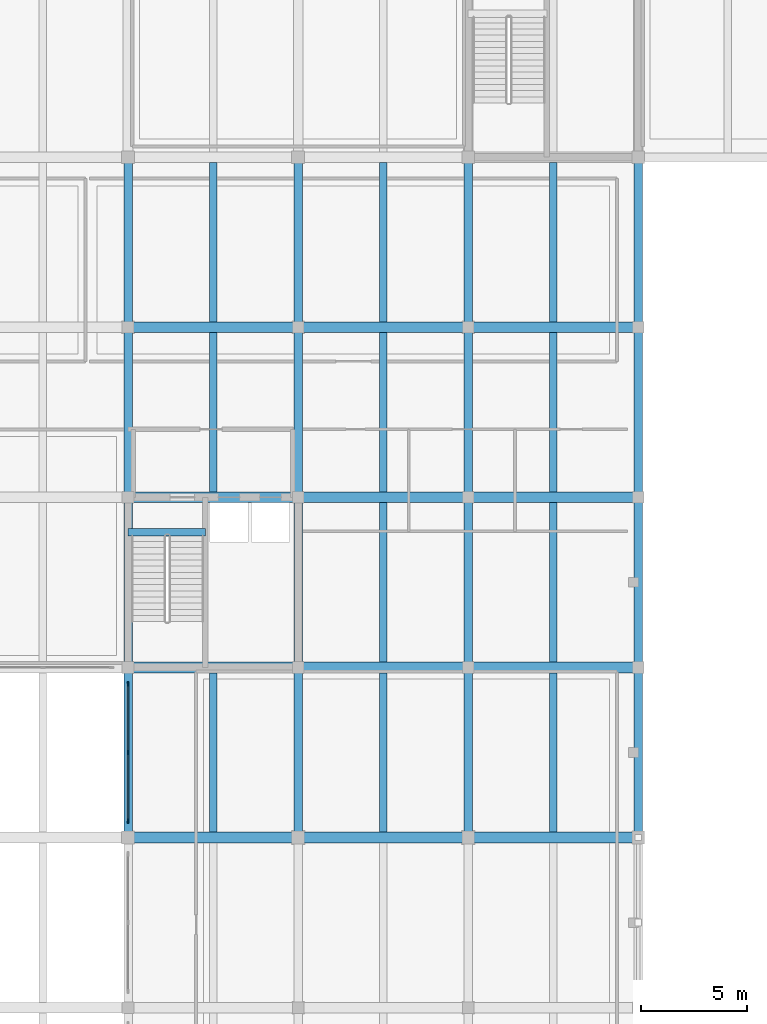
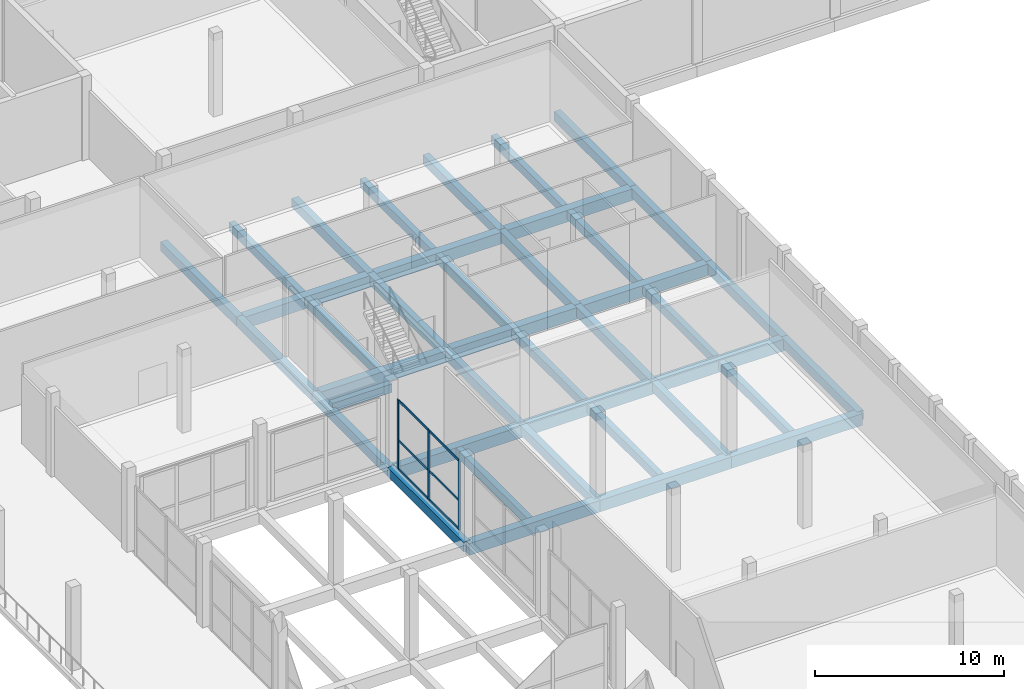
# One storey, part 8 of 41: 40 beams, 9 members, 1 element without a shape of its own.
"""IFC4 building model written with IfcOpenShell, lengths in metres."""

from ifc_helpers import new_model, si_unit, direction, frame, origin, origin_2d, place, context, subcontext, project, spatial, rectangle, extrude, material, material_profile, profile_set, type_object, element, aggregate, save


model = new_model("IFC4")

# Units and contexts
model_context = context("Model", 3, precision=1e-05, world=origin(), true_north=direction((0.0, 1.0)))
body_context = subcontext(model_context, "Body", "Model", "MODEL_VIEW")
ifc_project = project(units=[si_unit("LENGTHUNIT", "METRE"), si_unit("AREAUNIT", "SQUARE_METRE"), si_unit("VOLUMEUNIT", "CUBIC_METRE"), si_unit("PLANEANGLEUNIT", "RADIAN"), si_unit("MASSUNIT", "GRAM", prefix="KILO")], contexts=[model_context])

# Site, building, storey
site_placement = place(None, origin())
site = spatial("IfcSite", under=ifc_project, at=site_placement, CompositionType="ELEMENT")
building_placement = place(site_placement, origin())
building = spatial("IfcBuilding", under=site, at=building_placement, Name="Vharandega Faculty of Natural Sciences", CompositionType="ELEMENT")
storey_placement = place(building_placement, origin())
storey = spatial("IfcBuildingStorey", under=building, at=storey_placement, Name="L00", CompositionType="ELEMENT", Elevation=0.0)

# Curtain wall, members
ifc_material_1 = material(Name="Aluminium and solar-control glass curtain wall", Category="aluminium")
curtain_wall_type = type_object("IfcCurtainWallType", Name="Unitised Curtain Wall System CW-09", PredefinedType="NOTDEFINED", material=ifc_material_1)
curtain_wall_placement = place(storey_placement, origin())
curtain_wall = element("IfcCurtainWall", 1, at=curtain_wall_placement, inside=storey, type_object=curtain_wall_type, Name="Curtain Wall CW-L00-120", PredefinedType="NOTDEFINED")
ifc_material_2 = material(Name="Thermally broken aluminium 6063-T6", Category="aluminium")
ifc_material_profile_1 = material_profile(ifc_material_2, rectangle(XDim=0.070068359375, YDim=0.199951171875, at=origin_2d()), Name="ALU 70x200")
ifc_profile_set_1 = profile_set([ifc_material_profile_1], Name="Thermally broken aluminium 6063-T6")
member_type_1 = type_object("IfcMemberType", Name="CW Mullion 70x200", PredefinedType="MULLION", material=ifc_profile_set_1)
member_1_placement = place(storey_placement, frame((32.0, 32.77490234375, 0.0), z_axis=(0.0, 0.0, 1.0), x_axis=(-1.0, 0.0, 0.0)))
member_1 = element("IfcMember", 2, at=member_1_placement, type_object=member_type_1, Name="CW-09 mullion 1", PredefinedType="MULLION", context=body_context, shape_type="SweptSolid", body=[
    extrude(rectangle(XDim=0.070068359375, YDim=0.199951171875, at=origin_2d()), origin(), (0.0, 0.0, 1.0), 4.469970703125),
])
member_2_placement = place(storey_placement, frame((32.0, 36.0, 0.0), z_axis=(0.0, 0.0, 1.0), x_axis=(-1.0, 0.0, 0.0)))
member_2 = element("IfcMember", 3, at=member_2_placement, type_object=member_type_1, Name="CW-09 mullion 2", PredefinedType="MULLION", context=body_context, shape_type="SweptSolid", body=[
    extrude(rectangle(XDim=0.070068359375, YDim=0.199951171875, at=origin_2d()), origin(), (0.0, 0.0, 1.0), 4.469970703125),
])
member_3_placement = place(storey_placement, frame((32.0, 39.22509765625, 0.0), z_axis=(0.0, 0.0, 1.0), x_axis=(-1.0, 0.0, 0.0)))
member_3 = element("IfcMember", 4, at=member_3_placement, type_object=member_type_1, Name="CW-09 mullion 3", PredefinedType="MULLION", context=body_context, shape_type="SweptSolid", body=[
    extrude(rectangle(XDim=0.070068359375, YDim=0.199951171875, at=origin_2d()), origin(), (0.0, 0.0, 1.0), 4.469970703125),
])
ifc_material_3 = material(Name="Thermally broken aluminium 6063-T6", Category="aluminium")
ifc_material_profile_2 = material_profile(ifc_material_3, rectangle(XDim=0.06494140625, YDim=0.135009765625, at=origin_2d()), Name="ALU 65x135")
ifc_profile_set_2 = profile_set([ifc_material_profile_2], Name="Thermally broken aluminium 6063-T6")
member_type_2 = type_object("IfcMemberType", Name="CW Transom 65x135", PredefinedType="USERDEFINED", material=ifc_profile_set_2)
member_4_placement = place(storey_placement, frame((32.0, 32.81005859375, 0.032470703125), z_axis=(0.0, 1.0, 0.0), x_axis=(-1.0, 0.0, 0.0)))
member_4 = element("IfcMember", 5, at=member_4_placement, type_object=member_type_2, Name="CW-09 transom 1.1", ObjectType="TRANSOM", PredefinedType="USERDEFINED", context=body_context, shape_type="SweptSolid", body=[
    extrude(rectangle(XDim=0.06494140625, YDim=0.135009765625, at=origin_2d()), origin(), (0.0, 0.0, 1.0), 3.155029296875),
])
member_5_placement = place(storey_placement, frame((32.0, 32.81005859375, 1.87744140625), z_axis=(0.0, 1.0, 0.0), x_axis=(-1.0, 0.0, 0.0)))
member_5 = element("IfcMember", 6, at=member_5_placement, type_object=member_type_2, Name="CW-09 transom 1.2", ObjectType="TRANSOM", PredefinedType="USERDEFINED", context=body_context, shape_type="SweptSolid", body=[
    extrude(rectangle(XDim=0.06494140625, YDim=0.135009765625, at=origin_2d()), origin(), (0.0, 0.0, 1.0), 3.155029296875),
])
member_6_placement = place(storey_placement, frame((32.0, 32.81005859375, 4.4375), z_axis=(0.0, 1.0, 0.0), x_axis=(-1.0, 0.0, 0.0)))
member_6 = element("IfcMember", 7, at=member_6_placement, type_object=member_type_2, Name="CW-09 transom 1.3", ObjectType="TRANSOM", PredefinedType="USERDEFINED", context=body_context, shape_type="SweptSolid", body=[
    extrude(rectangle(XDim=0.06494140625, YDim=0.135009765625, at=origin_2d()), origin(), (0.0, 0.0, 1.0), 3.155029296875),
])
member_7_placement = place(storey_placement, frame((32.0, 36.034912109375, 0.032470703125), z_axis=(0.0, 1.0, 0.0), x_axis=(-1.0, 0.0, 0.0)))
member_7 = element("IfcMember", 8, at=member_7_placement, type_object=member_type_2, Name="CW-09 transom 2.1", ObjectType="TRANSOM", PredefinedType="USERDEFINED", context=body_context, shape_type="SweptSolid", body=[
    extrude(rectangle(XDim=0.06494140625, YDim=0.135009765625, at=origin_2d()), origin(), (0.0, 0.0, 1.0), 3.155029296875),
])
member_8_placement = place(storey_placement, frame((32.0, 36.034912109375, 1.87744140625), z_axis=(0.0, 1.0, 0.0), x_axis=(-1.0, 0.0, 0.0)))
member_8 = element("IfcMember", 9, at=member_8_placement, type_object=member_type_2, Name="CW-09 transom 2.2", ObjectType="TRANSOM", PredefinedType="USERDEFINED", context=body_context, shape_type="SweptSolid", body=[
    extrude(rectangle(XDim=0.06494140625, YDim=0.135009765625, at=origin_2d()), origin(), (0.0, 0.0, 1.0), 3.155029296875),
])
member_9_placement = place(storey_placement, frame((32.0, 36.034912109375, 4.4375), z_axis=(0.0, 1.0, 0.0), x_axis=(-1.0, 0.0, 0.0)))
member_9 = element("IfcMember", 10, at=member_9_placement, type_object=member_type_2, Name="CW-09 transom 2.3", ObjectType="TRANSOM", PredefinedType="USERDEFINED", context=body_context, shape_type="SweptSolid", body=[
    extrude(rectangle(XDim=0.06494140625, YDim=0.135009765625, at=origin_2d()), origin(), (0.0, 0.0, 1.0), 3.155029296875),
])
aggregate(curtain_wall, [member_1, member_2, member_3, member_4, member_5, member_6, member_7, member_8, member_9])

# Beams
ifc_material_4 = material(Name="Concrete C40/50", Category="concrete")
ifc_material_profile_3 = material_profile(ifc_material_4, rectangle(XDim=0.5, YDim=0.75, at=origin_2d()), Name="RC 500x750")
ifc_profile_set_3 = profile_set([ifc_material_profile_3], Name="Concrete C40/50")
beam_type_1 = type_object("IfcBeamType", Name="Podium Primary Beam 500x750", PredefinedType="BEAM", material=ifc_profile_set_3)
for number, where, z_axis, x_axis, name in (
    (11, (32.0, 32.0, -0.675048828125), (1.0, 0.0, 0.0), (0.0, 1.0, 0.0), "Beam L00 E/5-6"),
    (12, (40.0, 32.0, -0.675048828125), (1.0, 0.0, 0.0), (0.0, 1.0, 0.0), "Beam L00 E/6-7"),
    (13, (48.0, 32.0, -0.675048828125), (1.0, 0.0, 0.0), (0.0, 1.0, 0.0), "Beam L00 E/7-8"),
    (14, (32.0, 40.0, -0.675048828125), (1.0, 0.0, 0.0), (0.0, 1.0, 0.0), "Beam L00 F/5-6"),
    (15, (40.0, 40.0, -0.675048828125), (1.0, 0.0, 0.0), (0.0, 1.0, 0.0), "Beam L00 F/6-7"),
    (16, (48.0, 40.0, -0.675048828125), (1.0, 0.0, 0.0), (0.0, 1.0, 0.0), "Beam L00 F/7-8"),
    (17, (32.0, 48.0, -0.675048828125), (1.0, 0.0, 0.0), (0.0, 1.0, 0.0), "Beam L00 G/5-6"),
    (18, (40.0, 48.0, -0.675048828125), (1.0, 0.0, 0.0), (0.0, 1.0, 0.0), "Beam L00 G/6-7"),
    (19, (48.0, 48.0, -0.675048828125), (1.0, 0.0, 0.0), (0.0, 1.0, 0.0), "Beam L00 G/7-8"),
    (20, (32.0, 56.0, -0.675048828125), (1.0, 0.0, 0.0), (0.0, 1.0, 0.0), "Beam L00 H/5-6"),
    (21, (40.0, 56.0, -0.675048828125), (1.0, 0.0, 0.0), (0.0, 1.0, 0.0), "Beam L00 H/6-7"),
    (22, (48.0, 56.0, -0.675048828125), (1.0, 0.0, 0.0), (0.0, 1.0, 0.0), "Beam L00 H/7-8"),
):
    element("IfcBeam", number, at=place(storey_placement, frame(where, z_axis=z_axis, x_axis=x_axis)), inside=storey, type_object=beam_type_1, Name=name, PredefinedType="BEAM", context=body_context, shape_type="SweptSolid", body=[
        extrude(rectangle(XDim=0.5, YDim=0.75, at=origin_2d()), origin(), (0.0, 0.0, 1.0), 8.0),
    ])
ifc_material_5 = material(Name="Concrete C40/50", Category="concrete")
ifc_material_profile_4 = material_profile(ifc_material_5, rectangle(XDim=0.39990234375, YDim=0.60009765625, at=origin_2d()), Name="RC 400x600")
ifc_profile_set_4 = profile_set([ifc_material_profile_4], Name="Concrete C40/50")
beam_type_2 = type_object("IfcBeamType", Name="Podium Rib Beam 400x600", PredefinedType="BEAM", material=ifc_profile_set_4)
for number, where, z_axis, x_axis, name in (
    (23, (32.0, 32.0, -0.60009765625), (0.0, 1.0, 0.0), (-1.0, 0.0, 0.0), "Beam L00 5/E-F"),
    (24, (32.0, 40.0, -0.60009765625), (0.0, 1.0, 0.0), (-1.0, 0.0, 0.0), "Beam L00 5/F-G"),
    (25, (32.0, 48.0, -0.60009765625), (0.0, 1.0, 0.0), (-1.0, 0.0, 0.0), "Beam L00 5/G-H"),
    (26, (32.0, 56.0, -0.60009765625), (0.0, 1.0, 0.0), (-1.0, 0.0, 0.0), "Beam L00 5/H-J"),
    (27, (40.0, 32.0, -0.60009765625), (0.0, 1.0, 0.0), (-1.0, 0.0, 0.0), "Beam L00 6/E-F"),
    (28, (40.0, 40.0, -0.60009765625), (0.0, 1.0, 0.0), (-1.0, 0.0, 0.0), "Beam L00 6/F-G"),
    (29, (40.0, 48.0, -0.60009765625), (0.0, 1.0, 0.0), (-1.0, 0.0, 0.0), "Beam L00 6/G-H"),
    (30, (40.0, 56.0, -0.60009765625), (0.0, 1.0, 0.0), (-1.0, 0.0, 0.0), "Beam L00 6/H-J"),
    (31, (48.0, 32.0, -0.60009765625), (0.0, 1.0, 0.0), (-1.0, 0.0, 0.0), "Beam L00 7/E-F"),
    (32, (48.0, 40.0, -0.60009765625), (0.0, 1.0, 0.0), (-1.0, 0.0, 0.0), "Beam L00 7/F-G"),
    (33, (48.0, 48.0, -0.60009765625), (0.0, 1.0, 0.0), (-1.0, 0.0, 0.0), "Beam L00 7/G-H"),
    (34, (48.0, 56.0, -0.60009765625), (0.0, 1.0, 0.0), (-1.0, 0.0, 0.0), "Beam L00 7/H-J"),
    (35, (56.0, 32.0, -0.60009765625), (0.0, 1.0, 0.0), (-1.0, 0.0, 0.0), "Beam L00 8/E-F"),
    (36, (56.0, 40.0, -0.60009765625), (0.0, 1.0, 0.0), (-1.0, 0.0, 0.0), "Beam L00 8/F-G"),
    (37, (56.0, 48.0, -0.60009765625), (0.0, 1.0, 0.0), (-1.0, 0.0, 0.0), "Beam L00 8/G-H"),
    (38, (56.0, 56.0, -0.60009765625), (0.0, 1.0, 0.0), (-1.0, 0.0, 0.0), "Beam L00 8/H-J"),
):
    element("IfcBeam", number, at=place(storey_placement, frame(where, z_axis=z_axis, x_axis=x_axis)), inside=storey, type_object=beam_type_2, Name=name, PredefinedType="BEAM", context=body_context, shape_type="SweptSolid", body=[
        extrude(rectangle(XDim=0.39990234375, YDim=0.60009765625, at=origin_2d()), origin(), (0.0, 0.0, 1.0), 8.0),
    ])
ifc_material_6 = material(Name="Concrete C40/50", Category="concrete")
ifc_material_profile_5 = material_profile(ifc_material_6, rectangle(XDim=0.35009765625, YDim=0.550048828125, at=origin_2d()), Name="RC 350x550")
ifc_profile_set_5 = profile_set([ifc_material_profile_5], Name="Concrete C40/50")
beam_type_3 = type_object("IfcBeamType", Name="Podium Secondary Beam 350x550", PredefinedType="JOIST", material=ifc_profile_set_5)
for number, where, z_axis, x_axis, name in (
    (39, (36.0, 32.25, -0.574951171875), (0.0, 1.0, 0.0), (-1.0, 0.0, 0.0), "Secondary Joist L00 5-6/E-F"),
    (40, (36.0, 48.25, -0.574951171875), (0.0, 1.0, 0.0), (-1.0, 0.0, 0.0), "Secondary Joist L00 5-6/G-H"),
    (41, (36.0, 56.25, -0.574951171875), (0.0, 1.0, 0.0), (-1.0, 0.0, 0.0), "Secondary Joist L00 5-6/H-J"),
    (42, (44.0, 32.25, -0.574951171875), (0.0, 1.0, 0.0), (-1.0, 0.0, 0.0), "Secondary Joist L00 6-7/E-F"),
    (43, (44.0, 40.25, -0.574951171875), (0.0, 1.0, 0.0), (-1.0, 0.0, 0.0), "Secondary Joist L00 6-7/F-G"),
    (44, (44.0, 48.25, -0.574951171875), (0.0, 1.0, 0.0), (-1.0, 0.0, 0.0), "Secondary Joist L00 6-7/G-H"),
    (45, (44.0, 56.25, -0.574951171875), (0.0, 1.0, 0.0), (-1.0, 0.0, 0.0), "Secondary Joist L00 6-7/H-J"),
    (46, (52.0, 32.25, -0.574951171875), (0.0, 1.0, 0.0), (-1.0, 0.0, 0.0), "Secondary Joist L00 7-8/E-F"),
    (47, (52.0, 40.25, -0.574951171875), (0.0, 1.0, 0.0), (-1.0, 0.0, 0.0), "Secondary Joist L00 7-8/F-G"),
    (48, (52.0, 48.25, -0.574951171875), (0.0, 1.0, 0.0), (-1.0, 0.0, 0.0), "Secondary Joist L00 7-8/G-H"),
    (49, (52.0, 56.25, -0.574951171875), (0.0, 1.0, 0.0), (-1.0, 0.0, 0.0), "Secondary Joist L00 7-8/H-J"),
):
    element("IfcBeam", number, at=place(storey_placement, frame(where, z_axis=z_axis, x_axis=x_axis)), inside=storey, type_object=beam_type_3, Name=name, PredefinedType="JOIST", context=body_context, shape_type="SweptSolid", body=[
        extrude(rectangle(XDim=0.35009765625, YDim=0.550048828125, at=origin_2d()), origin(), (0.0, 0.0, 1.0), 7.5),
    ])
ifc_material_7 = material(Name="Concrete C40/50", Category="concrete")
ifc_material_profile_6 = material_profile(ifc_material_7, rectangle(XDim=0.35009765625, YDim=0.550048828125, at=origin_2d()), Name="RC 350x550")
ifc_profile_set_6 = profile_set([ifc_material_profile_6], Name="Concrete C40/50")
beam_type_4 = type_object("IfcBeamType", Name="Stair Header Trimmer Beam 350x550", PredefinedType="BEAM", material=ifc_profile_set_6)
beam_placement = place(storey_placement, frame((32.0, 46.35009765625, -0.27490234375), z_axis=(1.0, 0.0, 0.0), x_axis=(0.0, 1.0, 0.0)))
element("IfcBeam", 50, at=beam_placement, inside=storey, type_object=beam_type_4, Name="Stair Landing Trimmer Beam C3 L00", PredefinedType="BEAM", context=body_context, shape_type="SweptSolid", body=[
    extrude(rectangle(XDim=0.35009765625, YDim=0.550048828125, at=origin_2d()), origin(), (0.0, 0.0, 1.0), 3.639892578125),
])

save(model, "model.ifc")
